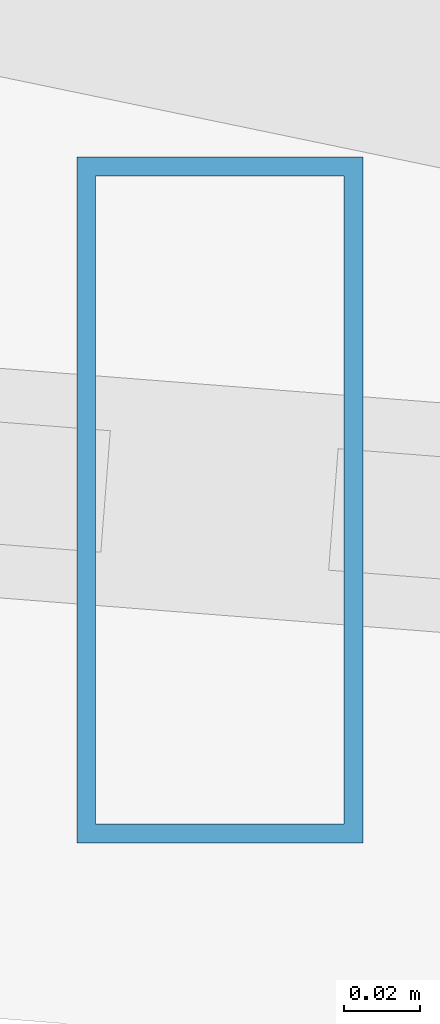
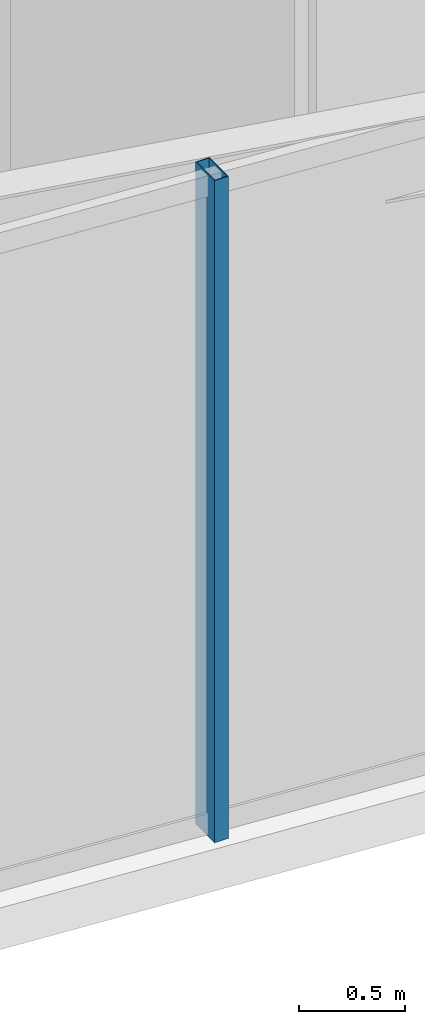
# One storey, part 4 of 29: 1 member, 1 element without a shape of its own.
"""IFC4 building model written with IfcOpenShell, lengths in metres."""

from ifc_helpers import new_model, si_unit, direction, frame, origin, origin_2d, place, context, subcontext, project, spatial, hollow_rectangle, extrude, material, layer, layer_set, material_profile, profile_set, type_object, element, aggregate, save


model = new_model("IFC4")

# Units and contexts
model_context = context("Model", 3, precision=1e-05, world=origin(), true_north=direction((0.0, 1.0)))
body_context = subcontext(model_context, "Body", "Model", "MODEL_VIEW")
ifc_project = project(units=[si_unit("LENGTHUNIT", "METRE"), si_unit("AREAUNIT", "SQUARE_METRE"), si_unit("VOLUMEUNIT", "CUBIC_METRE"), si_unit("PLANEANGLEUNIT", "RADIAN"), si_unit("MASSUNIT", "GRAM", prefix="KILO")], contexts=[model_context])

# Site, building, storey
site_placement = place(None, origin())
site = spatial("IfcSite", under=ifc_project, at=site_placement, CompositionType="ELEMENT")
building_placement = place(site_placement, origin())
building = spatial("IfcBuilding", under=site, at=building_placement, Name="Veymaron Broadcast Tower", CompositionType="ELEMENT")
storey_placement = place(building_placement, frame((0.0, 0.0, 62.10009765625)))
storey = spatial("IfcBuildingStorey", under=building, at=storey_placement, Name="L13", CompositionType="ELEMENT", Elevation=62.10009765625)

# Curtain wall, member
ifc_material_1 = material(Name="Anodised aluminium AA 6063-T6 and laminated low-E dark glass", Category="aluminium")
ifc_layer = layer(ifc_material_1, 0.179931640625)
ifc_layer_set = layer_set([ifc_layer], Name="Anodised aluminium AA 6063-T6 and laminated low-E dark glass")
curtain_wall_type = type_object("IfcCurtainWallType", Name="CW-SYS-02", PredefinedType="NOTDEFINED", material=ifc_layer_set)
curtain_wall_placement = place(storey_placement, origin())
curtain_wall = element("IfcCurtainWall", 1, at=curtain_wall_placement, inside=storey, type_object=curtain_wall_type, Name="L13 dark-glass curtain wall CW-L13-E14-1", PredefinedType="NOTDEFINED")
ifc_material_2 = material(Name="Anodised aluminium AA 6063-T6", Category="aluminium")
ifc_material_profile = material_profile(ifc_material_2, hollow_rectangle(XDim=0.074951171875, YDim=0.179931640625, WallThickness=0.0048828125, at=origin_2d()), Name="AL180X75X5")
ifc_profile_set = profile_set([ifc_material_profile], Name="Anodised aluminium AA 6063-T6")
member_type = type_object("IfcMemberType", Name="CW-MUL-02", PredefinedType="MULLION", material=ifc_profile_set)
member_placement = place(storey_placement, frame((19.5830078125, 18.211669921875, 0.0), z_axis=(0.0, 0.0, 1.0), x_axis=(1.0, 0.0, 0.0)))
member = element("IfcMember", 2, at=member_placement, type_object=member_type, Name="CW-L13-E14-1 mullion 2", PredefinedType="MULLION", context=body_context, shape_type="SweptSolid", body=[
    extrude(hollow_rectangle(XDim=0.074951171875, YDim=0.179931640625, WallThickness=0.0048828125, at=origin_2d()), origin(), (0.0, 0.0, 1.0), 3.809814453125),
])
aggregate(curtain_wall, [member])

save(model, "model.ifc")
